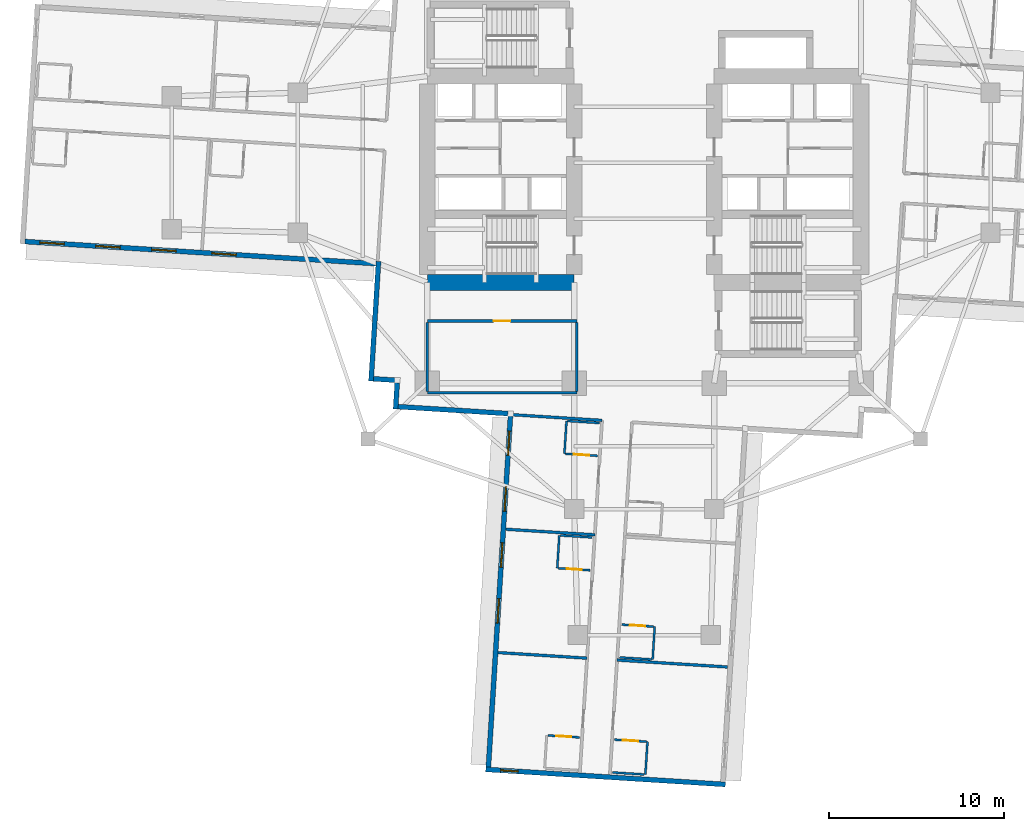
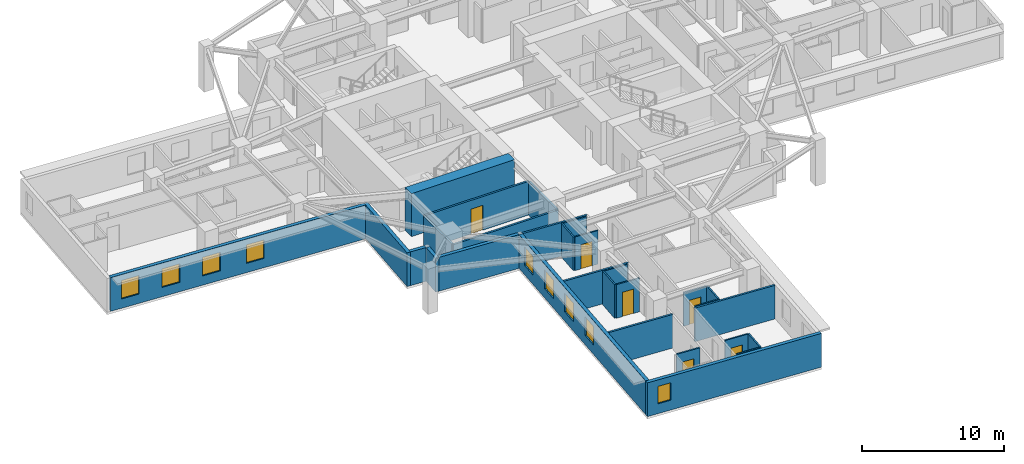
# One storey, part 3 of 14: 29 walls, 9 windows, 6 doors, 15 openings.
"""IFC4 building model written with IfcOpenShell, lengths in metres."""

from ifc_helpers import new_model, si_unit, direction, frame, frame_2d, origin, place, context, subcontext, project, spatial, rectangle, extrude, material, layer, layer_set, type_object, element, fill, save


model = new_model("IFC4")

# Units and contexts
model_context = context("Model", 3, precision=1e-05, world=origin(), true_north=direction((0.0, 1.0)))
body_context = subcontext(model_context, "Body", "Model", "MODEL_VIEW")
ifc_project = project(units=[si_unit("LENGTHUNIT", "METRE"), si_unit("AREAUNIT", "SQUARE_METRE"), si_unit("VOLUMEUNIT", "CUBIC_METRE"), si_unit("PLANEANGLEUNIT", "RADIAN"), si_unit("MASSUNIT", "GRAM", prefix="KILO")], contexts=[model_context])

# Site, building, storey
site_placement = place(None, origin())
site = spatial("IfcSite", under=ifc_project, at=site_placement, CompositionType="ELEMENT")
building_placement = place(site_placement, origin())
building = spatial("IfcBuilding", under=site, at=building_placement, Name="Qingluan Cross Belvedere", CompositionType="ELEMENT")
storey_placement = place(building_placement, frame((0.0, 0.0, 79.5)))
storey = spatial("IfcBuildingStorey", under=building, at=storey_placement, Name="L20", CompositionType="ELEMENT", Elevation=79.5)

# Walls
ifc_material_1 = material(Name="Concrete C70", Category="concrete")
ifc_layer_1 = layer(ifc_material_1, 0.89990234375, Name="CoreShearWall_900")
ifc_layer_set_1 = layer_set([ifc_layer_1], Name="Concrete C70")
wall_type_1 = type_object("IfcWallType", Name="CoreShearWall_900", PredefinedType="SHEAR", material=ifc_layer_set_1)
wall_1_placement = place(storey_placement, frame((-12.39990234375, -6.85009765625, 0.0), z_axis=(0.0, 0.0, 1.0), x_axis=(1.0, 0.0, 0.0)))
element("IfcWall", 1, at=wall_1_placement, inside=storey, type_object=wall_type_1, Name="Split core W shear wall L20-S", PredefinedType="SHEAR", context=body_context, shape_type="SweptSolid", body=[
    extrude(rectangle(XDim=8.39990234375, YDim=0.89990234375, at=frame_2d((4.199951171875, 0.0))), origin(), (0.0, 0.0, 1.0), 3.699951171875),
])
ifc_material_2 = material(Name="Gypsum plasterboard on steel stud acoustic partition", Category="steel")
ifc_layer_2 = layer(ifc_material_2, 0.159912109375, Name="CorridorPartition_160")
ifc_layer_set_2 = layer_set([ifc_layer_2], Name="Gypsum plasterboard on steel stud acoustic partition")
wall_type_2 = type_object("IfcWallType", Name="CorridorPartition_160", PredefinedType="PARTITIONING", material=ifc_layer_set_2)
wall_2_placement = place(storey_placement, frame((-12.39990234375, -13.14990234375, 0.0), z_axis=(0.0, 0.0, 1.0), x_axis=(1.0, 0.0, 0.0)))
element("IfcWall", 2, at=wall_2_placement, inside=storey, type_object=wall_type_2, Name="Partition L20:q_sw:S", PredefinedType="PARTITIONING", context=body_context, shape_type="SweptSolid", body=[
    extrude(rectangle(XDim=8.5498046875, YDim=0.159912109375, at=frame_2d((4.27490234375, 0.0))), origin(), (0.0, 0.0, 1.0), 2.89990234375),
])

# Wall, opening, door
wall_3_placement = place(storey_placement, frame((-12.39990234375, -9.050048828125, 0.0), z_axis=(0.0, 0.0, 1.0), x_axis=(1.0, 0.0, 0.0)))
wall_3 = element("IfcWall", 3, at=wall_3_placement, inside=storey, type_object=wall_type_2, Name="Partition L20:q_sw:N", PredefinedType="PARTITIONING", context=body_context, shape_type="SweptSolid", body=[
    extrude(rectangle(XDim=8.5498046875, YDim=0.159912109375, at=frame_2d((4.27490234375, 0.0))), origin(), (0.0, 0.0, 1.0), 2.89990234375),
])
opening_1_placement = place(wall_3_placement, frame((3.794921875, 0.0, 0.0)))
opening_1 = element("IfcOpeningElement", 4, at=opening_1_placement, cuts=wall_3, Name="Opening GD-10", PredefinedType="OPENING", context=body_context, shape_type="SweptSolid", body=[
    extrude(rectangle(XDim=0.9599609375, YDim=2.14990234375, at=frame_2d((0.47998046875, 1.074951171875))), frame((0.0, 0.08984375, 0.0), z_axis=(0.0, -1.0, 0.0), x_axis=(1.0, 0.0, 0.0)), (0.0, 0.0, 1.0), 0.179931640625),
])
ifc_material_3 = material(Name="Timber oak fire-rated acoustic guestroom door", Category="wood")
door_type_1 = type_object("IfcDoorType", Name="GuestEntryDoor_FD60", OperationType="NOTDEFINED", PredefinedType="DOOR", material=ifc_material_3)
door_1_placement = place(opening_1_placement, origin())
door_1 = element("IfcDoor", 5, at=door_1_placement, inside=storey, type_object=door_type_1, Name="Calligraphy study room L20 door", OperationType="SINGLE_SWING_RIGHT", OverallHeight=2.14990234375, OverallWidth=0.9599609375, PredefinedType="DOOR", context=body_context, shape_type="SweptSolid", body=[
    extrude(rectangle(XDim=0.9599609375, YDim=2.14990234375, at=frame_2d((0.47998046875, 1.074951171875))), frame((0.0, 0.02490234375, 0.0), z_axis=(0.0, -1.0, 0.0), x_axis=(1.0, 0.0, 0.0)), (0.0, 0.0, 1.0), 0.050048828125),
])
fill(opening_1, door_1)

# Walls
for number, where, z_axis, x_axis, name in (
    (6, (-12.39990234375, -13.06494140625, 0.0), (0.0, 0.0, 1.0), (0.0, 1.0, 0.0), "Partition L20:q_sw:W"),
    (7, (-3.85009765625, -13.06494140625, 0.0), (0.0, 0.0, 1.0), (0.0, 1.0, 0.0), "Partition L20:q_sw:E"),
):
    element("IfcWall", number, at=place(storey_placement, frame(where, z_axis=z_axis, x_axis=x_axis)), inside=storey, type_object=wall_type_2, Name=name, PredefinedType="PARTITIONING", context=body_context, shape_type="SweptSolid", body=[
        extrude(rectangle(XDim=3.929931640625, YDim=0.159912109375, at=frame_2d((1.96484375, 0.0))), origin(), (0.0, 0.0, 1.0), 2.89990234375),
    ])
wall_4_placement = place(storey_placement, frame((-1.548095703125, -28.429931640625, 0.0), z_axis=(0.0, 0.0, 1.0), x_axis=(0.998027895917, -0.062771960074, 0.0)))
element("IfcWall", 8, at=wall_4_placement, inside=storey, type_object=wall_type_2, Name="Partition L20:S:d0_1", PredefinedType="PARTITIONING", context=body_context, shape_type="SweptSolid", body=[
    extrude(rectangle(XDim=6.331787109375, YDim=0.159912109375, at=frame_2d((3.166015625, 0.0))), origin(), (0.0, 0.0, 1.0), 2.89990234375),
])
wall_5_placement = place(storey_placement, frame((-2.409423828125, -14.727783203125, 0.0), z_axis=(0.0, 0.0, 1.0), x_axis=(-0.998025838074, 0.062804669704, 0.0)))
element("IfcWall", 9, at=wall_5_placement, inside=storey, type_object=wall_type_2, Name="Partition L20:S:s1", PredefinedType="PARTITIONING", context=body_context, shape_type="SweptSolid", body=[
    extrude(rectangle(XDim=5.239990234375, YDim=0.159912109375, at=frame_2d((2.6201171875, 0.0))), origin(), (0.0, 0.0, 1.0), 2.89990234375),
])
for number, where, z_axis, x_axis, name in (
    (10, (-2.8212890625, -21.270751953125, 0.0), (0.0, 0.0, 1.0), (-0.998028437135, 0.062763354514, 0.0), "Partition L20:S:d1_0"),
    (11, (-3.264892578125, -28.322021484375, 0.0), (0.0, 0.0, 1.0), (-0.998025432585, 0.06281111298, 0.0), "Partition L20:S:d1_1"),
):
    element("IfcWall", number, at=place(storey_placement, frame(where, z_axis=z_axis, x_axis=x_axis)), inside=storey, type_object=wall_type_2, Name=name, PredefinedType="PARTITIONING", context=body_context, shape_type="SweptSolid", body=[
        extrude(rectangle(XDim=5.091796875, YDim=0.159912109375, at=frame_2d((2.5458984375, 0.0))), origin(), (0.0, 0.0, 1.0), 2.89990234375),
    ])

# Wall, opening, door
ifc_material_4 = material(Name="Moisture-resistant gypsum board lining")
ifc_layer_3 = layer(ifc_material_4, 0.1201171875, Name="EnsuiteWetPartition_120")
ifc_layer_set_3 = layer_set([ifc_layer_3], Name="Moisture-resistant gypsum board lining")
wall_type_3 = type_object("IfcWallType", Name="EnsuiteWetPartition_120", PredefinedType="PARTITIONING", material=ifc_layer_set_3)
wall_6_placement = place(storey_placement, frame((-1.280517578125, -26.402587890625, 0.0), z_axis=(0.0, 0.0, 1.0), x_axis=(0.998019030272, -0.062912758763, 0.0)))
wall_6 = element("IfcWall", 12, at=wall_6_placement, inside=storey, type_object=wall_type_3, Name="Partition L20:S:bs0_1", PredefinedType="PARTITIONING", context=body_context, shape_type="SweptSolid", body=[
    extrude(rectangle(XDim=1.820068359375, YDim=0.1201171875, at=frame_2d((0.91015625, 0.0))), origin(), (0.0, 0.0, 1.0), 2.89990234375),
])
opening_2_placement = place(wall_6_placement, frame((0.469970703125, 0.0, 0.0)))
opening_2 = element("IfcOpeningElement", 13, at=opening_2_placement, cuts=wall_6, Name="Opening BD-09", PredefinedType="OPENING", context=body_context, shape_type="SweptSolid", body=[
    extrude(rectangle(XDim=0.8798828125, YDim=2.10009765625, at=frame_2d((0.43994140625, 1.050048828125))), frame((0.0, 0.070068359375, 0.0), z_axis=(0.0, -1.0, 0.0), x_axis=(1.0, 0.0, 0.0)), (0.0, 0.0, 1.0), 0.14013671875),
])
ifc_material_5 = material(Name="Moisture-sealed timber en-suite door", Category="wood")
door_type_2 = type_object("IfcDoorType", Name="BathroomDoor_880", OperationType="NOTDEFINED", PredefinedType="DOOR", material=ifc_material_5)
door_2_placement = place(opening_2_placement, origin())
door_2 = element("IfcDoor", 14, at=door_2_placement, inside=storey, type_object=door_type_2, Name="Bathroom door 2014", OperationType="SINGLE_SWING_RIGHT", OverallHeight=2.10009765625, OverallWidth=0.8798828125, PredefinedType="DOOR", context=body_context, shape_type="SweptSolid", body=[
    extrude(rectangle(XDim=0.8798828125, YDim=2.10009765625, at=frame_2d((0.43994140625, 1.050048828125))), frame((0.0, 0.02490234375, 0.0), z_axis=(0.0, -1.0, 0.0), x_axis=(1.0, 0.0, 0.0)), (0.0, 0.0, 1.0), 0.050048828125),
])
fill(opening_2, door_2)

# Walls
wall_7_placement = place(storey_placement, frame((-1.3984375, -28.279052734375, 0.0), z_axis=(0.0, 0.0, 1.0), x_axis=(0.998027443946, -0.062779145668, 0.0)))
element("IfcWall", 15, at=wall_7_placement, inside=storey, type_object=wall_type_3, Name="Partition L20:S:bw0_1", PredefinedType="PARTITIONING", context=body_context, shape_type="SweptSolid", body=[
    extrude(rectangle(XDim=1.820068359375, YDim=0.1201171875, at=frame_2d((0.91015625, 0.0))), origin(), (0.0, 0.0, 1.0), 2.89990234375),
])
wall_8_placement = place(storey_placement, frame((0.600830078125, -26.52099609375, 0.0), z_axis=(0.0, 0.0, 1.0), x_axis=(-0.062717813936, -0.998031300018, 0.0)))
element("IfcWall", 16, at=wall_8_placement, inside=storey, type_object=wall_type_3, Name="Partition L20:S:bn0_1", PredefinedType="PARTITIONING", context=body_context, shape_type="SweptSolid", body=[
    extrude(rectangle(XDim=1.880126953125, YDim=0.1201171875, at=frame_2d((0.93994140625, 0.0))), origin(), (0.0, 0.0, 1.0), 2.89990234375),
])

# Wall, opening, door
wall_9_placement = place(storey_placement, frame((-1.694091796875, -32.978759765625, 0.0), z_axis=(0.0, 0.0, 1.0), x_axis=(0.998027443946, -0.062779145668, 0.0)))
wall_9 = element("IfcWall", 17, at=wall_9_placement, inside=storey, type_object=wall_type_3, Name="Partition L20:S:bs0_2", PredefinedType="PARTITIONING", context=body_context, shape_type="SweptSolid", body=[
    extrude(rectangle(XDim=1.820068359375, YDim=0.1201171875, at=frame_2d((0.91015625, 0.0))), origin(), (0.0, 0.0, 1.0), 2.89990234375),
])
opening_3_placement = place(wall_9_placement, frame((0.469970703125, 0.0, 0.0)))
opening_3 = element("IfcOpeningElement", 18, at=opening_3_placement, cuts=wall_9, Name="Opening BD-09", PredefinedType="OPENING", context=body_context, shape_type="SweptSolid", body=[
    extrude(rectangle(XDim=0.8798828125, YDim=2.10009765625, at=frame_2d((0.43994140625, 1.050048828125))), frame((0.0, 0.070068359375, 0.0), z_axis=(0.0, -1.0, 0.0), x_axis=(1.0, 0.0, 0.0)), (0.0, 0.0, 1.0), 0.14013671875),
])
door_3_placement = place(opening_3_placement, origin())
door_3 = element("IfcDoor", 19, at=door_3_placement, inside=storey, type_object=door_type_2, Name="Bathroom door 2015", OperationType="SINGLE_SWING_RIGHT", OverallHeight=2.10009765625, OverallWidth=0.8798828125, PredefinedType="DOOR", context=body_context, shape_type="SweptSolid", body=[
    extrude(rectangle(XDim=0.8798828125, YDim=2.10009765625, at=frame_2d((0.43994140625, 1.050048828125))), frame((0.0, 0.02490234375, 0.0), z_axis=(0.0, -1.0, 0.0), x_axis=(1.0, 0.0, 0.0)), (0.0, 0.0, 1.0), 0.050048828125),
])
fill(opening_3, door_3)

# Walls
wall_10_placement = place(storey_placement, frame((-1.81201171875, -34.85498046875, 0.0), z_axis=(0.0, 0.0, 1.0), x_axis=(0.998027443946, -0.062779145668, 0.0)))
element("IfcWall", 20, at=wall_10_placement, inside=storey, type_object=wall_type_3, Name="Partition L20:S:bw0_2", PredefinedType="PARTITIONING", context=body_context, shape_type="SweptSolid", body=[
    extrude(rectangle(XDim=1.820068359375, YDim=0.1201171875, at=frame_2d((0.91015625, 0.0))), origin(), (0.0, 0.0, 1.0), 2.89990234375),
])
wall_11_placement = place(storey_placement, frame((0.187255859375, -33.09716796875, 0.0), z_axis=(0.0, 0.0, 1.0), x_axis=(-0.062855297722, -0.998022650819, 0.0)))
element("IfcWall", 21, at=wall_11_placement, inside=storey, type_object=wall_type_3, Name="Partition L20:S:bn0_2", PredefinedType="PARTITIONING", context=body_context, shape_type="SweptSolid", body=[
    extrude(rectangle(XDim=1.8798828125, YDim=0.1201171875, at=frame_2d((0.93994140625, 0.0))), origin(), (0.0, 0.0, 1.0), 2.89990234375),
])

# Wall, opening, door
wall_12_placement = place(storey_placement, frame((-4.49365234375, -16.640625, 0.0), z_axis=(0.0, 0.0, 1.0), x_axis=(0.998027443946, -0.062779145668, 0.0)))
wall_12 = element("IfcWall", 22, at=wall_12_placement, inside=storey, type_object=wall_type_3, Name="Partition L20:S:bs1_0", PredefinedType="PARTITIONING", context=body_context, shape_type="SweptSolid", body=[
    extrude(rectangle(XDim=1.820068359375, YDim=0.1201171875, at=frame_2d((0.91015625, 0.0))), origin(), (0.0, 0.0, 1.0), 2.89990234375),
])
opening_4_placement = place(wall_12_placement, frame((0.469970703125, 0.0, 0.0)))
opening_4 = element("IfcOpeningElement", 23, at=opening_4_placement, cuts=wall_12, Name="Opening BD-09", PredefinedType="OPENING", context=body_context, shape_type="SweptSolid", body=[
    extrude(rectangle(XDim=0.8798828125, YDim=2.10009765625, at=frame_2d((0.43994140625, 1.050048828125))), frame((0.0, 0.070068359375, 0.0), z_axis=(0.0, -1.0, 0.0), x_axis=(1.0, 0.0, 0.0)), (0.0, 0.0, 1.0), 0.14013671875),
])
door_4_placement = place(opening_4_placement, origin())
door_4 = element("IfcDoor", 24, at=door_4_placement, inside=storey, type_object=door_type_2, Name="Bathroom door 2016", OperationType="SINGLE_SWING_RIGHT", OverallHeight=2.10009765625, OverallWidth=0.8798828125, PredefinedType="DOOR", context=body_context, shape_type="SweptSolid", body=[
    extrude(rectangle(XDim=0.8798828125, YDim=2.10009765625, at=frame_2d((0.43994140625, 1.050048828125))), frame((0.0, 0.02490234375, 0.0), z_axis=(0.0, -1.0, 0.0), x_axis=(1.0, 0.0, 0.0)), (0.0, 0.0, 1.0), 0.050048828125),
])
fill(opening_4, door_4)

# Walls
wall_13_placement = place(storey_placement, frame((-4.375732421875, -14.764404296875, 0.0), z_axis=(0.0, 0.0, 1.0), x_axis=(0.998027443946, -0.062779145668, 0.0)))
element("IfcWall", 25, at=wall_13_placement, inside=storey, type_object=wall_type_3, Name="Partition L20:S:bw1_0", PredefinedType="PARTITIONING", context=body_context, shape_type="SweptSolid", body=[
    extrude(rectangle(XDim=1.820068359375, YDim=0.1201171875, at=frame_2d((0.91015625, 0.0))), origin(), (0.0, 0.0, 1.0), 2.89990234375),
])
wall_14_placement = place(storey_placement, frame((-4.440673828125, -14.76025390625, 0.0), z_axis=(0.0, 0.0, 1.0), x_axis=(-0.062717813936, -0.998031300018, 0.0)))
element("IfcWall", 26, at=wall_14_placement, inside=storey, type_object=wall_type_3, Name="Partition L20:S:bc1_0", PredefinedType="PARTITIONING", context=body_context, shape_type="SweptSolid", body=[
    extrude(rectangle(XDim=1.880126953125, YDim=0.1201171875, at=frame_2d((0.93994140625, 0.0))), origin(), (0.0, 0.0, 1.0), 2.89990234375),
])

# Wall, opening, door
wall_15_placement = place(storey_placement, frame((-4.905517578125, -23.18359375, 0.0), z_axis=(0.0, 0.0, 1.0), x_axis=(0.998019030272, -0.062912758763, 0.0)))
wall_15 = element("IfcWall", 27, at=wall_15_placement, inside=storey, type_object=wall_type_3, Name="Partition L20:S:bs1_1", PredefinedType="PARTITIONING", context=body_context, shape_type="SweptSolid", body=[
    extrude(rectangle(XDim=1.820068359375, YDim=0.1201171875, at=frame_2d((0.91015625, 0.0))), origin(), (0.0, 0.0, 1.0), 2.89990234375),
])
opening_5_placement = place(wall_15_placement, frame((0.469970703125, 0.0, 0.0)))
opening_5 = element("IfcOpeningElement", 28, at=opening_5_placement, cuts=wall_15, Name="Opening BD-09", PredefinedType="OPENING", context=body_context, shape_type="SweptSolid", body=[
    extrude(rectangle(XDim=0.8798828125, YDim=2.10009765625, at=frame_2d((0.43994140625, 1.050048828125))), frame((0.0, 0.070068359375, 0.0), z_axis=(0.0, -1.0, 0.0), x_axis=(1.0, 0.0, 0.0)), (0.0, 0.0, 1.0), 0.14013671875),
])
door_5_placement = place(opening_5_placement, origin())
door_5 = element("IfcDoor", 29, at=door_5_placement, inside=storey, type_object=door_type_2, Name="Bathroom door 2017", OperationType="SINGLE_SWING_RIGHT", OverallHeight=2.10009765625, OverallWidth=0.8798828125, PredefinedType="DOOR", context=body_context, shape_type="SweptSolid", body=[
    extrude(rectangle(XDim=0.8798828125, YDim=2.10009765625, at=frame_2d((0.43994140625, 1.050048828125))), frame((0.0, 0.02490234375, 0.0), z_axis=(0.0, -1.0, 0.0), x_axis=(1.0, 0.0, 0.0)), (0.0, 0.0, 1.0), 0.050048828125),
])
fill(opening_5, door_5)

# Walls
wall_16_placement = place(storey_placement, frame((-4.787353515625, -21.307373046875, 0.0), z_axis=(0.0, 0.0, 1.0), x_axis=(0.998027443946, -0.062779145668, 0.0)))
element("IfcWall", 30, at=wall_16_placement, inside=storey, type_object=wall_type_3, Name="Partition L20:S:bw1_1", PredefinedType="PARTITIONING", context=body_context, shape_type="SweptSolid", body=[
    extrude(rectangle(XDim=1.820068359375, YDim=0.1201171875, at=frame_2d((0.91015625, 0.0))), origin(), (0.0, 0.0, 1.0), 2.89990234375),
])
wall_17_placement = place(storey_placement, frame((-4.852294921875, -21.303466796875, 0.0), z_axis=(0.0, 0.0, 1.0), x_axis=(-0.062725942896, -0.998030789148, 0.0)))
element("IfcWall", 31, at=wall_17_placement, inside=storey, type_object=wall_type_3, Name="Partition L20:S:bc1_1", PredefinedType="PARTITIONING", context=body_context, shape_type="SweptSolid", body=[
    extrude(rectangle(XDim=1.8798828125, YDim=0.1201171875, at=frame_2d((0.93994140625, 0.0))), origin(), (0.0, 0.0, 1.0), 2.89990234375),
])

# Wall, opening, door
wall_18_placement = place(storey_placement, frame((-5.506591796875, -32.73876953125, 0.0), z_axis=(0.0, 0.0, 1.0), x_axis=(0.998027443946, -0.062779145668, 0.0)))
wall_18 = element("IfcWall", 32, at=wall_18_placement, inside=storey, type_object=wall_type_3, Name="Partition L20:S:bs1_2", PredefinedType="PARTITIONING", context=body_context, shape_type="SweptSolid", body=[
    extrude(rectangle(XDim=1.820068359375, YDim=0.1201171875, at=frame_2d((0.91015625, 0.0))), origin(), (0.0, 0.0, 1.0), 2.89990234375),
])
opening_6_placement = place(wall_18_placement, frame((0.469970703125, 0.0, 0.0)))
opening_6 = element("IfcOpeningElement", 33, at=opening_6_placement, cuts=wall_18, Name="Opening BD-09", PredefinedType="OPENING", context=body_context, shape_type="SweptSolid", body=[
    extrude(rectangle(XDim=0.8798828125, YDim=2.10009765625, at=frame_2d((0.43994140625, 1.050048828125))), frame((0.0, 0.070068359375, 0.0), z_axis=(0.0, -1.0, 0.0), x_axis=(1.0, 0.0, 0.0)), (0.0, 0.0, 1.0), 0.14013671875),
])
door_6_placement = place(opening_6_placement, origin())
door_6 = element("IfcDoor", 34, at=door_6_placement, inside=storey, type_object=door_type_2, Name="Bathroom door 2018", OperationType="SINGLE_SWING_RIGHT", OverallHeight=2.10009765625, OverallWidth=0.8798828125, PredefinedType="DOOR", context=body_context, shape_type="SweptSolid", body=[
    extrude(rectangle(XDim=0.8798828125, YDim=2.10009765625, at=frame_2d((0.43994140625, 1.050048828125))), frame((0.0, 0.02490234375, 0.0), z_axis=(0.0, -1.0, 0.0), x_axis=(1.0, 0.0, 0.0)), (0.0, 0.0, 1.0), 0.050048828125),
])
fill(opening_6, door_6)

# Wall, openings, windows
ifc_material_6 = material(Name="Precast concrete C45", Category="concrete")
ifc_layer_4 = layer(ifc_material_6, 0.280029296875, Name="PrecastFacadeWall_280")
ifc_layer_set_4 = layer_set([ifc_layer_4], Name="Precast concrete C45")
wall_type_4 = type_object("IfcWallType", Name="PrecastFacadeWall_280", PredefinedType="STANDARD", material=ifc_layer_set_4)
wall_19_placement = place(storey_placement, frame((-35.392822265625, -4.506591796875, 0.0), z_axis=(0.0, 0.0, 1.0), x_axis=(0.998027116198, -0.062784355807, 0.0)))
wall_19 = element("IfcWall", 35, at=wall_19_placement, inside=storey, type_object=wall_type_4, Name="Facade wall L20-WB", PredefinedType="STANDARD", context=body_context, shape_type="SweptSolid", body=[
    extrude(rectangle(XDim=20.099853515625, YDim=0.280029296875, at=frame_2d((10.0498046875, 0.0))), origin(), (0.0, 0.0, 1.0), 2.909912109375),
])
opening_7_placement = place(wall_19_placement, frame((0.85009765625, 0.0, 0.800048828125)))
opening_7 = element("IfcOpeningElement", 36, at=opening_7_placement, cuts=wall_19, Name="Opening W-01", PredefinedType="OPENING", context=body_context, shape_type="SweptSolid", body=[
    extrude(rectangle(XDim=1.39990234375, YDim=1.60009765625, at=frame_2d((0.699951171875, 0.800048828125))), frame((0.0, 0.14990234375, 0.0), z_axis=(0.0, -1.0, 0.0), x_axis=(1.0, 0.0, 0.0)), (0.0, 0.0, 1.0), 0.300048828125),
])
opening_8_placement = place(wall_19_placement, frame((4.050048828125, 0.0, 0.800048828125)))
opening_8 = element("IfcOpeningElement", 37, at=opening_8_placement, cuts=wall_19, Name="Opening W-01", PredefinedType="OPENING", context=body_context, shape_type="SweptSolid", body=[
    extrude(rectangle(XDim=1.39990234375, YDim=1.60009765625, at=frame_2d((0.699951171875, 0.800048828125))), frame((0.0, 0.14990234375, 0.0), z_axis=(0.0, -1.0, 0.0), x_axis=(1.0, 0.0, 0.0)), (0.0, 0.0, 1.0), 0.300048828125),
])
opening_9_placement = place(wall_19_placement, frame((7.25, 0.0, 0.800048828125)))
opening_9 = element("IfcOpeningElement", 38, at=opening_9_placement, cuts=wall_19, Name="Opening W-01", PredefinedType="OPENING", context=body_context, shape_type="SweptSolid", body=[
    extrude(rectangle(XDim=1.39990234375, YDim=1.60009765625, at=frame_2d((0.699951171875, 0.800048828125))), frame((0.0, 0.14990234375, 0.0), z_axis=(0.0, -1.0, 0.0), x_axis=(1.0, 0.0, 0.0)), (0.0, 0.0, 1.0), 0.300048828125),
])
opening_10_placement = place(wall_19_placement, frame((10.699951171875, 0.0, 0.800048828125)))
opening_10 = element("IfcOpeningElement", 39, at=opening_10_placement, cuts=wall_19, Name="Opening W-01", PredefinedType="OPENING", context=body_context, shape_type="SweptSolid", body=[
    extrude(rectangle(XDim=1.39990234375, YDim=1.60009765625, at=frame_2d((0.699951171875, 0.800048828125))), frame((0.0, 0.14990234375, 0.0), z_axis=(0.0, -1.0, 0.0), x_axis=(1.0, 0.0, 0.0)), (0.0, 0.0, 1.0), 0.300048828125),
])
ifc_material_7 = material(Name="Thermally broken triple Low-E glass in aluminium frame", Category="aluminium")
window_type_1 = type_object("IfcWindowType", Name="TriRibbonWin_1400x1600", PartitioningType="SINGLE_PANEL", PredefinedType="WINDOW", material=ifc_material_7)
window_1_placement = place(opening_7_placement, origin())
window_1 = element("IfcWindow", 40, at=window_1_placement, inside=storey, type_object=window_type_1, Name="Ribbon window L20-WB-1", OverallHeight=1.60009765625, OverallWidth=1.39990234375, PartitioningType="SINGLE_PANEL", PredefinedType="WINDOW", context=body_context, shape_type="SweptSolid", body=[
    extrude(rectangle(XDim=1.39990234375, YDim=1.60009765625, at=frame_2d((0.699951171875, 0.800048828125))), frame((0.0, 0.030029296875, 0.0), z_axis=(0.0, -1.0, 0.0), x_axis=(1.0, 0.0, 0.0)), (0.0, 0.0, 1.0), 0.06005859375),
])
fill(opening_7, window_1)
window_2_placement = place(opening_8_placement, origin())
window_2 = element("IfcWindow", 41, at=window_2_placement, inside=storey, type_object=window_type_1, Name="Ribbon window L20-WB-2", OverallHeight=1.60009765625, OverallWidth=1.39990234375, PartitioningType="SINGLE_PANEL", PredefinedType="WINDOW", context=body_context, shape_type="SweptSolid", body=[
    extrude(rectangle(XDim=1.39990234375, YDim=1.60009765625, at=frame_2d((0.699951171875, 0.800048828125))), frame((0.0, 0.030029296875, 0.0), z_axis=(0.0, -1.0, 0.0), x_axis=(1.0, 0.0, 0.0)), (0.0, 0.0, 1.0), 0.06005859375),
])
fill(opening_8, window_2)
window_3_placement = place(opening_9_placement, origin())
window_3 = element("IfcWindow", 42, at=window_3_placement, inside=storey, type_object=window_type_1, Name="Ribbon window L20-WB-3", OverallHeight=1.60009765625, OverallWidth=1.39990234375, PartitioningType="SINGLE_PANEL", PredefinedType="WINDOW", context=body_context, shape_type="SweptSolid", body=[
    extrude(rectangle(XDim=1.39990234375, YDim=1.60009765625, at=frame_2d((0.699951171875, 0.800048828125))), frame((0.0, 0.030029296875, 0.0), z_axis=(0.0, -1.0, 0.0), x_axis=(1.0, 0.0, 0.0)), (0.0, 0.0, 1.0), 0.06005859375),
])
fill(opening_9, window_3)
window_4_placement = place(opening_10_placement, origin())
window_4 = element("IfcWindow", 43, at=window_4_placement, inside=storey, type_object=window_type_1, Name="Ribbon window L20-WB-4", OverallHeight=1.60009765625, OverallWidth=1.39990234375, PartitioningType="SINGLE_PANEL", PredefinedType="WINDOW", context=body_context, shape_type="SweptSolid", body=[
    extrude(rectangle(XDim=1.39990234375, YDim=1.60009765625, at=frame_2d((0.699951171875, 0.800048828125))), frame((0.0, 0.030029296875, 0.0), z_axis=(0.0, -1.0, 0.0), x_axis=(1.0, 0.0, 0.0)), (0.0, 0.0, 1.0), 0.06005859375),
])
fill(opening_10, window_4)

wall_20_placement = place(storey_placement, frame((-7.644775390625, -14.488525390625, 0.0), z_axis=(0.0, 0.0, 1.0), x_axis=(-0.06279645424, -0.99802635503, 0.0)))
wall_20 = element("IfcWall", 44, at=wall_20_placement, inside=storey, type_object=wall_type_4, Name="Facade wall L20-SA", PredefinedType="STANDARD", context=body_context, shape_type="SweptSolid", body=[
    extrude(rectangle(XDim=20.099853515625, YDim=0.280029296875, at=frame_2d((10.0498046875, 0.0))), origin(), (0.0, 0.0, 1.0), 2.909912109375),
])
opening_11_placement = place(wall_20_placement, frame((0.85009765625, 0.0, 0.800048828125)))
opening_11 = element("IfcOpeningElement", 45, at=opening_11_placement, cuts=wall_20, Name="Opening W-01", PredefinedType="OPENING", context=body_context, shape_type="SweptSolid", body=[
    extrude(rectangle(XDim=1.39990234375, YDim=1.60009765625, at=frame_2d((0.699951171875, 0.800048828125))), frame((0.0, 0.14990234375, 0.0), z_axis=(0.0, -1.0, 0.0), x_axis=(1.0, 0.0, 0.0)), (0.0, 0.0, 1.0), 0.300048828125),
])
opening_12_placement = place(wall_20_placement, frame((4.050048828125, 0.0, 0.800048828125)))
opening_12 = element("IfcOpeningElement", 46, at=opening_12_placement, cuts=wall_20, Name="Opening W-01", PredefinedType="OPENING", context=body_context, shape_type="SweptSolid", body=[
    extrude(rectangle(XDim=1.39990234375, YDim=1.60009765625, at=frame_2d((0.699951171875, 0.800048828125))), frame((0.0, 0.14990234375, 0.0), z_axis=(0.0, -1.0, 0.0), x_axis=(1.0, 0.0, 0.0)), (0.0, 0.0, 1.0), 0.300048828125),
])
opening_13_placement = place(wall_20_placement, frame((7.25, 0.0, 0.800048828125)))
opening_13 = element("IfcOpeningElement", 47, at=opening_13_placement, cuts=wall_20, Name="Opening W-01", PredefinedType="OPENING", context=body_context, shape_type="SweptSolid", body=[
    extrude(rectangle(XDim=1.39990234375, YDim=1.60009765625, at=frame_2d((0.699951171875, 0.800048828125))), frame((0.0, 0.14990234375, 0.0), z_axis=(0.0, -1.0, 0.0), x_axis=(1.0, 0.0, 0.0)), (0.0, 0.0, 1.0), 0.300048828125),
])
opening_14_placement = place(wall_20_placement, frame((10.449951171875, 0.0, 0.800048828125)))
opening_14 = element("IfcOpeningElement", 48, at=opening_14_placement, cuts=wall_20, Name="Opening W-01", PredefinedType="OPENING", context=body_context, shape_type="SweptSolid", body=[
    extrude(rectangle(XDim=1.39990234375, YDim=1.60009765625, at=frame_2d((0.699951171875, 0.800048828125))), frame((0.0, 0.14990234375, 0.0), z_axis=(0.0, -1.0, 0.0), x_axis=(1.0, 0.0, 0.0)), (0.0, 0.0, 1.0), 0.300048828125),
])
window_5_placement = place(opening_11_placement, origin())
window_5 = element("IfcWindow", 49, at=window_5_placement, inside=storey, type_object=window_type_1, Name="Ribbon window L20-SA-1", OverallHeight=1.60009765625, OverallWidth=1.39990234375, PartitioningType="SINGLE_PANEL", PredefinedType="WINDOW", context=body_context, shape_type="SweptSolid", body=[
    extrude(rectangle(XDim=1.39990234375, YDim=1.60009765625, at=frame_2d((0.699951171875, 0.800048828125))), frame((0.0, 0.030029296875, 0.0), z_axis=(0.0, -1.0, 0.0), x_axis=(1.0, 0.0, 0.0)), (0.0, 0.0, 1.0), 0.06005859375),
])
fill(opening_11, window_5)
window_6_placement = place(opening_12_placement, origin())
window_6 = element("IfcWindow", 50, at=window_6_placement, inside=storey, type_object=window_type_1, Name="Ribbon window L20-SA-2", OverallHeight=1.60009765625, OverallWidth=1.39990234375, PartitioningType="SINGLE_PANEL", PredefinedType="WINDOW", context=body_context, shape_type="SweptSolid", body=[
    extrude(rectangle(XDim=1.39990234375, YDim=1.60009765625, at=frame_2d((0.699951171875, 0.800048828125))), frame((0.0, 0.030029296875, 0.0), z_axis=(0.0, -1.0, 0.0), x_axis=(1.0, 0.0, 0.0)), (0.0, 0.0, 1.0), 0.06005859375),
])
fill(opening_12, window_6)
window_7_placement = place(opening_13_placement, origin())
window_7 = element("IfcWindow", 51, at=window_7_placement, inside=storey, type_object=window_type_1, Name="Ribbon window L20-SA-3", OverallHeight=1.60009765625, OverallWidth=1.39990234375, PartitioningType="SINGLE_PANEL", PredefinedType="WINDOW", context=body_context, shape_type="SweptSolid", body=[
    extrude(rectangle(XDim=1.39990234375, YDim=1.60009765625, at=frame_2d((0.699951171875, 0.800048828125))), frame((0.0, 0.030029296875, 0.0), z_axis=(0.0, -1.0, 0.0), x_axis=(1.0, 0.0, 0.0)), (0.0, 0.0, 1.0), 0.06005859375),
])
fill(opening_13, window_7)
window_8_placement = place(opening_14_placement, origin())
window_8 = element("IfcWindow", 52, at=window_8_placement, inside=storey, type_object=window_type_1, Name="Ribbon window L20-SA-4", OverallHeight=1.60009765625, OverallWidth=1.39990234375, PartitioningType="SINGLE_PANEL", PredefinedType="WINDOW", context=body_context, shape_type="SweptSolid", body=[
    extrude(rectangle(XDim=1.39990234375, YDim=1.60009765625, at=frame_2d((0.699951171875, 0.800048828125))), frame((0.0, 0.030029296875, 0.0), z_axis=(0.0, -1.0, 0.0), x_axis=(1.0, 0.0, 0.0)), (0.0, 0.0, 1.0), 0.06005859375),
])
fill(opening_14, window_8)

# Wall, opening, window
wall_21_placement = place(storey_placement, frame((-9.055419921875, -34.6796875, 0.0), z_axis=(0.0, 0.0, 1.0), x_axis=(0.998026318072, -0.062797041623, 0.0)))
wall_21 = element("IfcWall", 53, at=wall_21_placement, inside=storey, type_object=wall_type_4, Name="Arm tip precast facade wall L20-S", PredefinedType="STANDARD", context=body_context, shape_type="SweptSolid", body=[
    extrude(rectangle(XDim=13.719970703125, YDim=0.280029296875, at=frame_2d((6.85986328125, 0.0))), origin(), (0.0, 0.0, 1.0), 2.909912109375),
])
opening_15_placement = place(wall_21_placement, frame((0.85009765625, 0.0, 0.85009765625)))
opening_15 = element("IfcOpeningElement", 54, at=opening_15_placement, cuts=wall_21, Name="Opening W-03", PredefinedType="OPENING", context=body_context, shape_type="SweptSolid", body=[
    extrude(rectangle(XDim=1.0, YDim=1.5, at=frame_2d((0.5, 0.75))), frame((0.0, 0.14990234375, 0.0), z_axis=(0.0, -1.0, 0.0), x_axis=(1.0, 0.0, 0.0)), (0.0, 0.0, 1.0), 0.300048828125),
])
ifc_material_8 = material(Name="Thermally broken triple Low-E glass in aluminium frame", Category="aluminium")
window_type_2 = type_object("IfcWindowType", Name="TriApexWin_1000x1500", PartitioningType="SINGLE_PANEL", PredefinedType="WINDOW", material=ifc_material_8)
window_9_placement = place(opening_15_placement, origin())
window_9 = element("IfcWindow", 55, at=window_9_placement, inside=storey, type_object=window_type_2, Name="Arm tip triangular window L20-S", OverallHeight=1.5, OverallWidth=1.0, PartitioningType="SINGLE_PANEL", PredefinedType="WINDOW", context=body_context, shape_type="SweptSolid", body=[
    extrude(rectangle(XDim=1.0, YDim=1.5, at=frame_2d((0.5, 0.75))), frame((0.0, 0.030029296875, 0.0), z_axis=(0.0, -1.0, 0.0), x_axis=(1.0, 0.0, 0.0)), (0.0, 0.0, 1.0), 0.06005859375),
])
fill(opening_15, window_9)

# Walls
wall_22_placement = place(storey_placement, frame((-15.18408203125, -5.6376953125, 0.0), z_axis=(0.0, 0.0, 1.0), x_axis=(-0.062779317195, -0.998027433156, 0.0)))
element("IfcWall", 56, at=wall_22_placement, inside=storey, type_object=wall_type_4, Name="Corner wall L20-SW1", PredefinedType="STANDARD", context=body_context, shape_type="SweptSolid", body=[
    extrude(rectangle(XDim=6.85986328125, YDim=0.280029296875, at=frame_2d((3.429931640625, 0.0))), origin(), (0.0, 0.0, 1.0), 2.909912109375),
])
wall_23_placement = place(storey_placement, frame((-15.46630859375, -12.353271484375, 0.0), z_axis=(0.0, 0.0, 1.0), x_axis=(0.998024450254, -0.062826719603, 0.0)))
element("IfcWall", 57, at=wall_23_placement, inside=storey, type_object=wall_type_4, Name="Corner wall L20-SW2", PredefinedType="STANDARD", context=body_context, shape_type="SweptSolid", body=[
    extrude(rectangle(XDim=1.22021484375, YDim=0.280029296875, at=frame_2d((0.610107421875, 0.0))), origin(), (0.0, 0.0, 1.0), 2.909912109375),
])
wall_24_placement = place(storey_placement, frame((-14.11767578125, -12.578369140625, 0.0), z_axis=(0.0, 0.0, 1.0), x_axis=(-0.062824119533, -0.998024613927, 0.0)))
element("IfcWall", 58, at=wall_24_placement, inside=storey, type_object=wall_type_4, Name="Corner wall L20-SW3", PredefinedType="STANDARD", context=body_context, shape_type="SweptSolid", body=[
    extrude(rectangle(XDim=1.5, YDim=0.280029296875, at=frame_2d((0.75, 0.0))), origin(), (0.0, 0.0, 1.0), 2.909912109375),
])
wall_25_placement = place(storey_placement, frame((-14.063232421875, -13.944580078125, 0.0), z_axis=(0.0, 0.0, 1.0), x_axis=(0.998027314704, -0.062781200242, 0.0)))
element("IfcWall", 59, at=wall_25_placement, inside=storey, type_object=wall_type_4, Name="Corner wall L20-SW4", PredefinedType="STANDARD", context=body_context, shape_type="SweptSolid", body=[
    extrude(rectangle(XDim=6.2998046875, YDim=0.280029296875, at=frame_2d((3.14990234375, 0.0))), origin(), (0.0, 0.0, 1.0), 2.909912109375),
])

save(model, "model.ifc")
